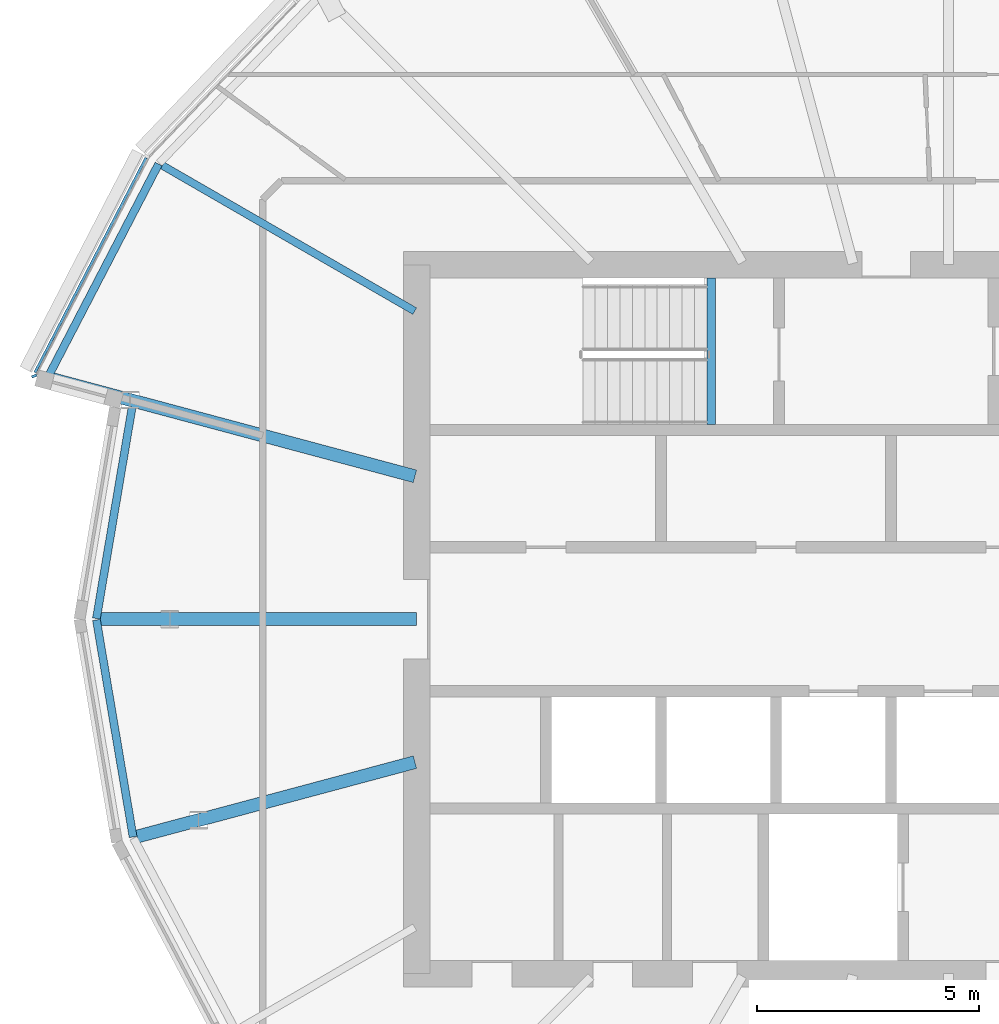
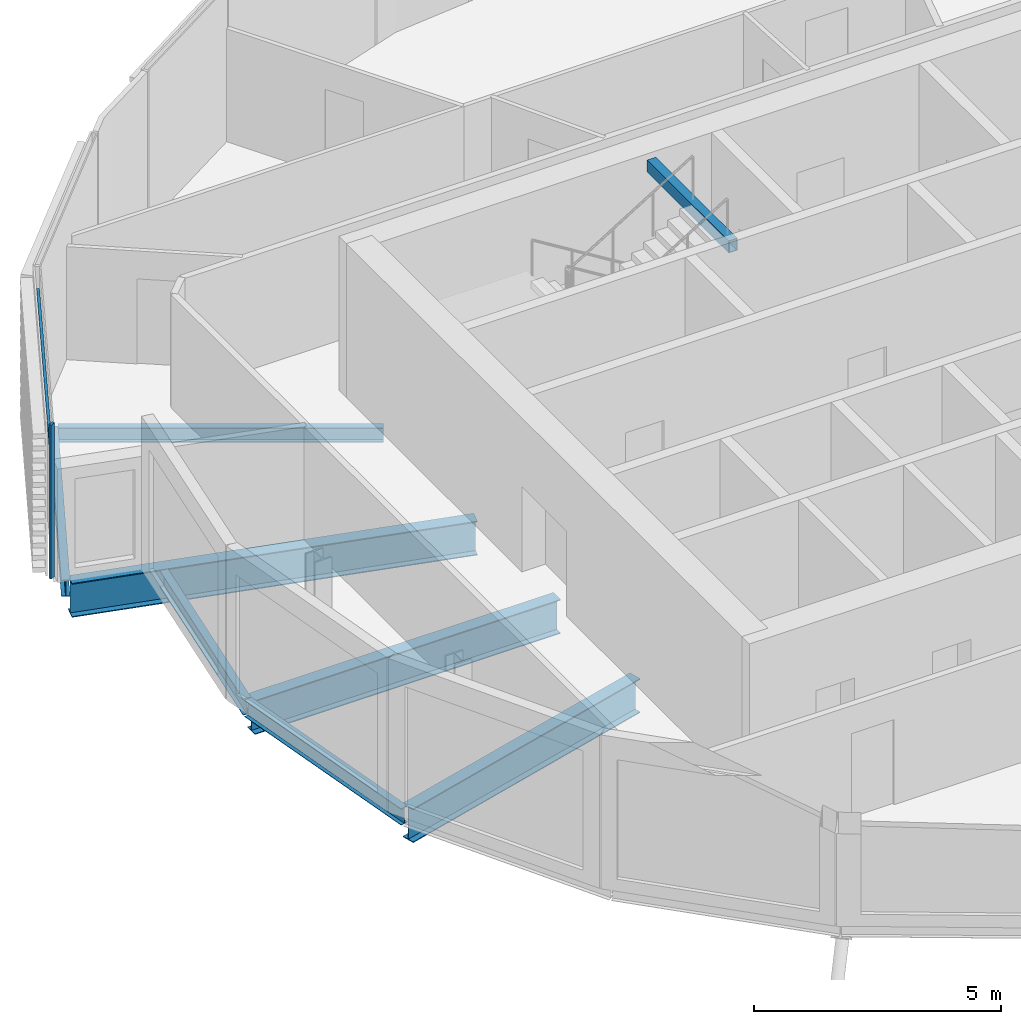
# One storey, part 5 of 35: 8 beams, 2 members, 1 element without a shape of its own.
"""IFC4 building model written with IfcOpenShell, lengths in metres."""

from ifc_helpers import new_model, si_unit, direction, frame, origin, origin_2d, place, context, subcontext, project, spatial, rectangle, hollow_rectangle, i_section, extrude, material, material_profile, profile_set, type_object, element, aggregate, save


model = new_model("IFC4")

# Units and contexts
model_context = context("Model", 3, precision=1e-05, world=origin(), true_north=direction((0.0, 1.0)))
body_context = subcontext(model_context, "Body", "Model", "MODEL_VIEW")
ifc_project = project(units=[si_unit("LENGTHUNIT", "METRE"), si_unit("AREAUNIT", "SQUARE_METRE"), si_unit("VOLUMEUNIT", "CUBIC_METRE"), si_unit("PLANEANGLEUNIT", "RADIAN"), si_unit("MASSUNIT", "GRAM", prefix="KILO")], contexts=[model_context])

# Site, building, storey
site_placement = place(None, origin())
site = spatial("IfcSite", under=ifc_project, at=site_placement, CompositionType="ELEMENT")
building_placement = place(site_placement, origin())
building = spatial("IfcBuilding", under=site, at=building_placement, Name="Rimbun Link Towers", CompositionType="ELEMENT")
storey_placement = place(building_placement, frame((0.0, 0.0, 196.89990234375)))
storey = spatial("IfcBuildingStorey", under=building, at=storey_placement, Name="L48", CompositionType="ELEMENT", Elevation=196.89990234375)

# Curtain wall, members
ifc_material_1 = material(Name="Aluminium 6063-T6 and low-iron glass", Category="aluminium")
curtain_wall_type = type_object("IfcCurtainWallType", Name="CW1-Z3 unitised vision wall (zone 3)", PredefinedType="NOTDEFINED", material=ifc_material_1)
curtain_wall_placement = place(storey_placement, origin())
curtain_wall = element("IfcCurtainWall", 1, at=curtain_wall_placement, inside=storey, type_object=curtain_wall_type, Name="CW1 L48 T1", PredefinedType="NOTDEFINED")
ifc_material_2 = material(Name="Aluminium 6063-T6", Category="aluminium")
ifc_material_profile_1 = material_profile(ifc_material_2, rectangle(XDim=0.1201171875, YDim=0.06005859375, at=origin_2d()), Name="MULLION 60X120")
ifc_profile_set_1 = profile_set([ifc_material_profile_1], Name="Aluminium 6063-T6")
member_type_1 = type_object("IfcMemberType", Name="CW1 mullion 60X120", PredefinedType="MULLION", material=ifc_profile_set_1)
member_1_placement = place(storey_placement, frame((-52.3818359375, 5.4892578125, 0.0), z_axis=(0.0, 0.0, 1.0), x_axis=(-0.914819776986, -0.403862322625, 0.0)))
member_1 = element("IfcMember", 2, at=member_1_placement, type_object=member_type_1, Name="CW1 mullion", PredefinedType="MULLION", context=body_context, shape_type="SweptSolid", body=[
    extrude(rectangle(XDim=0.1201171875, YDim=0.06005859375, at=origin_2d()), origin(), (0.0, 0.0, 1.0), 3.800048828125),
])
ifc_material_3 = material(Name="Aluminium 6063-T6", Category="aluminium")
ifc_material_profile_2 = material_profile(ifc_material_3, rectangle(XDim=0.06005859375, YDim=0.1201171875, at=origin_2d()), Name="TRANSOM 60X120")
ifc_profile_set_2 = profile_set([ifc_material_profile_2], Name="Aluminium 6063-T6")
member_type_2 = type_object("IfcMemberType", Name="CW1 transom 60X120", PredefinedType="USERDEFINED", material=ifc_profile_set_2)
member_2_placement = place(storey_placement, frame((-52.36474609375, 5.56689453125, 3.2001953125), z_axis=(0.459584716145, 0.888133936231, 0.0), x_axis=(-0.888133936231, 0.459584716145, 0.0)))
member_2 = element("IfcMember", 3, at=member_2_placement, type_object=member_type_2, Name="CW1 transom", ObjectType="TRANSOM", PredefinedType="USERDEFINED", context=body_context, shape_type="SweptSolid", body=[
    extrude(rectangle(XDim=0.06005859375, YDim=0.1201171875, at=origin_2d()), origin(), (0.0, 0.0, 1.0), 5.459228515625),
])
aggregate(curtain_wall, [member_1, member_2])

# Beams
ifc_material_4 = material(Name="Steel S355J2", Category="steel")
ifc_material_profile_3 = material_profile(ifc_material_4, hollow_rectangle(XDim=0.199951171875, YDim=0.300048828125, WallThickness=0.011962890625, at=origin_2d()), Name="BOX 300x200x12")
ifc_profile_set_3 = profile_set([ifc_material_profile_3], Name="Steel S355J2")
beam_type_1 = type_object("IfcBeamType", Name="Stair trimmer beam BOX 300x200x12", PredefinedType="BEAM", material=ifc_profile_set_3)
beam_1_placement = place(storey_placement, frame((-37.10009765625, 7.699951171875, 3.5), z_axis=(0.0, -1.0, 0.0), x_axis=(1.0, 0.0, 0.0)))
element("IfcBeam", 4, at=beam_1_placement, inside=storey, type_object=beam_type_1, Name="L48 ST1 stair beam 1", PredefinedType="BEAM", context=body_context, shape_type="SweptSolid", body=[
    extrude(hollow_rectangle(XDim=0.199951171875, YDim=0.300048828125, WallThickness=0.011962890625, at=origin_2d()), origin(), (0.0, 0.0, 1.0), 3.300048828125),
])
ifc_material_5 = material(Name="Steel S355J2", Category="steel")
ifc_material_profile_4 = material_profile(ifc_material_5, i_section(OverallWidth=0.17138671875, OverallDepth=0.35498046875, WebThickness=0.00732421875, FlangeThickness=0.011474609375, at=origin_2d()), Name="UB 356x171x51")
ifc_profile_set_4 = profile_set([ifc_material_profile_4], Name="Steel S355J2")
beam_type_2 = type_object("IfcBeamType", Name="UB 356x171x51", PredefinedType="BEAM", material=ifc_profile_set_4)
beam_2_placement = place(storey_placement, frame((-43.793701171875, 6.95361328125, -0.327392578125), z_axis=(-0.866041549256, 0.49997203418, 0.0), x_axis=(-0.49997203418, -0.866041549256, 0.0)))
element("IfcBeam", 5, at=beam_2_placement, inside=storey, type_object=beam_type_2, Name="Radial beam T1 L48 10", PredefinedType="BEAM", context=body_context, shape_type="SweptSolid", body=[
    extrude(i_section(OverallWidth=0.17138671875, OverallDepth=0.35498046875, WebThickness=0.00732421875, FlangeThickness=0.011474609375, at=origin_2d()), origin(), (0.0, 0.0, 1.0), 6.57666015625),
])
ifc_material_6 = material(Name="Steel S355J2", Category="steel")
ifc_material_profile_5 = material_profile(ifc_material_6, i_section(OverallWidth=0.177978515625, OverallDepth=0.406494140625, WebThickness=0.0078125, FlangeThickness=0.0126953125, at=origin_2d()), Name="UB 406x178x60")
ifc_profile_set_5 = profile_set([ifc_material_profile_5], Name="Steel S355J2")
beam_type_3 = type_object("IfcBeamType", Name="UB 406x178x60", PredefinedType="BEAM", material=ifc_profile_set_5)
beam_3_placement = place(storey_placement, frame((-49.57373046875, 10.274658203125, -0.35302734375), z_axis=(-0.460720742291, -0.887545152442, 0.0), x_axis=(0.887545152442, -0.460720742291, 0.0)))
element("IfcBeam", 6, at=beam_3_placement, inside=storey, type_object=beam_type_3, Name="Edge beam T1 L48 10", PredefinedType="BEAM", context=body_context, shape_type="SweptSolid", body=[
    extrude(i_section(OverallWidth=0.177978515625, OverallDepth=0.406494140625, WebThickness=0.0078125, FlangeThickness=0.0126953125, at=origin_2d()), origin(), (0.0, 0.0, 1.0), 5.43798828125),
])
beam_4_placement = place(storey_placement, frame((-50.17333984375, 4.775390625, -0.35302734375), z_axis=(-0.166555708034, -0.986032046194, 0.0), x_axis=(0.986032046194, -0.166555708034, 0.0)))
element("IfcBeam", 7, at=beam_4_placement, inside=storey, type_object=beam_type_3, Name="Edge beam T1 L48 11 recess", PredefinedType="BEAM", context=body_context, shape_type="SweptSolid", body=[
    extrude(i_section(OverallWidth=0.177978515625, OverallDepth=0.406494140625, WebThickness=0.0078125, FlangeThickness=0.0126953125, at=origin_2d()), origin(), (0.0, 0.0, 1.0), 4.826904296875),
])
beam_5_placement = place(storey_placement, frame((-50.977294921875, -0.015869140625, -0.35302734375), z_axis=(0.166550323315, -0.986032955739, 0.0), x_axis=(0.986032955739, 0.166550323315, 0.0)))
element("IfcBeam", 8, at=beam_5_placement, inside=storey, type_object=beam_type_3, Name="Edge beam T1 L48 12 recess", PredefinedType="BEAM", context=body_context, shape_type="SweptSolid", body=[
    extrude(i_section(OverallWidth=0.177978515625, OverallDepth=0.406494140625, WebThickness=0.0078125, FlangeThickness=0.0126953125, at=origin_2d()), origin(), (0.0, 0.0, 1.0), 4.9677734375),
])
ifc_material_7 = material(Name="Steel S355J2", Category="steel")
ifc_material_profile_6 = material_profile(ifc_material_7, i_section(OverallWidth=0.29248046875, OverallDepth=0.8408203125, WebThickness=0.0126953125, FlangeThickness=0.021728515625, at=origin_2d()), Name="UB 838x292x194")
ifc_profile_set_6 = profile_set([ifc_material_profile_6], Name="Steel S355J2")
beam_type_4 = type_object("IfcBeamType", Name="UB 838x292x194", PredefinedType="BEAM", material=ifc_profile_set_6)
beam_6_placement = place(storey_placement, frame((-43.788818359375, 3.225830078125, -0.5703125), z_axis=(-0.96592405169, 0.258825667906, 0.0), x_axis=(-0.258825667906, -0.96592405169, 0.0)))
element("IfcBeam", 9, at=beam_6_placement, inside=storey, type_object=beam_type_4, Name="Radial beam T1 L48 11", PredefinedType="BEAM", context=body_context, shape_type="SweptSolid", body=[
    extrude(i_section(OverallWidth=0.29248046875, OverallDepth=0.8408203125, WebThickness=0.0126953125, FlangeThickness=0.021728515625, at=origin_2d()), origin(), (0.0, 0.0, 1.0), 8.4912109375),
])
beam_7_placement = place(storey_placement, frame((-43.7509765625, 0.0, -0.5703125), z_axis=(-1.0, 0.0, 0.0), x_axis=(0.0, -1.0, 0.0)))
element("IfcBeam", 10, at=beam_7_placement, inside=storey, type_object=beam_type_4, Name="Radial beam T1 L48 12", PredefinedType="BEAM", context=body_context, shape_type="SweptSolid", body=[
    extrude(i_section(OverallWidth=0.29248046875, OverallDepth=0.8408203125, WebThickness=0.0126953125, FlangeThickness=0.021728515625, at=origin_2d()), origin(), (0.0, 0.0, 1.0), 7.13916015625),
])
beam_8_placement = place(storey_placement, frame((-43.788818359375, -3.225830078125, -0.5703125), z_axis=(-0.965926567568, -0.258816278596, 0.0), x_axis=(0.258816278596, -0.965926567568, 0.0)))
element("IfcBeam", 11, at=beam_8_placement, inside=storey, type_object=beam_type_4, Name="Radial beam T1 L48 13", PredefinedType="BEAM", context=body_context, shape_type="SweptSolid", body=[
    extrude(i_section(OverallWidth=0.29248046875, OverallDepth=0.8408203125, WebThickness=0.0126953125, FlangeThickness=0.021728515625, at=origin_2d()), origin(), (0.0, 0.0, 1.0), 6.49267578125),
])

save(model, "model.ifc")
